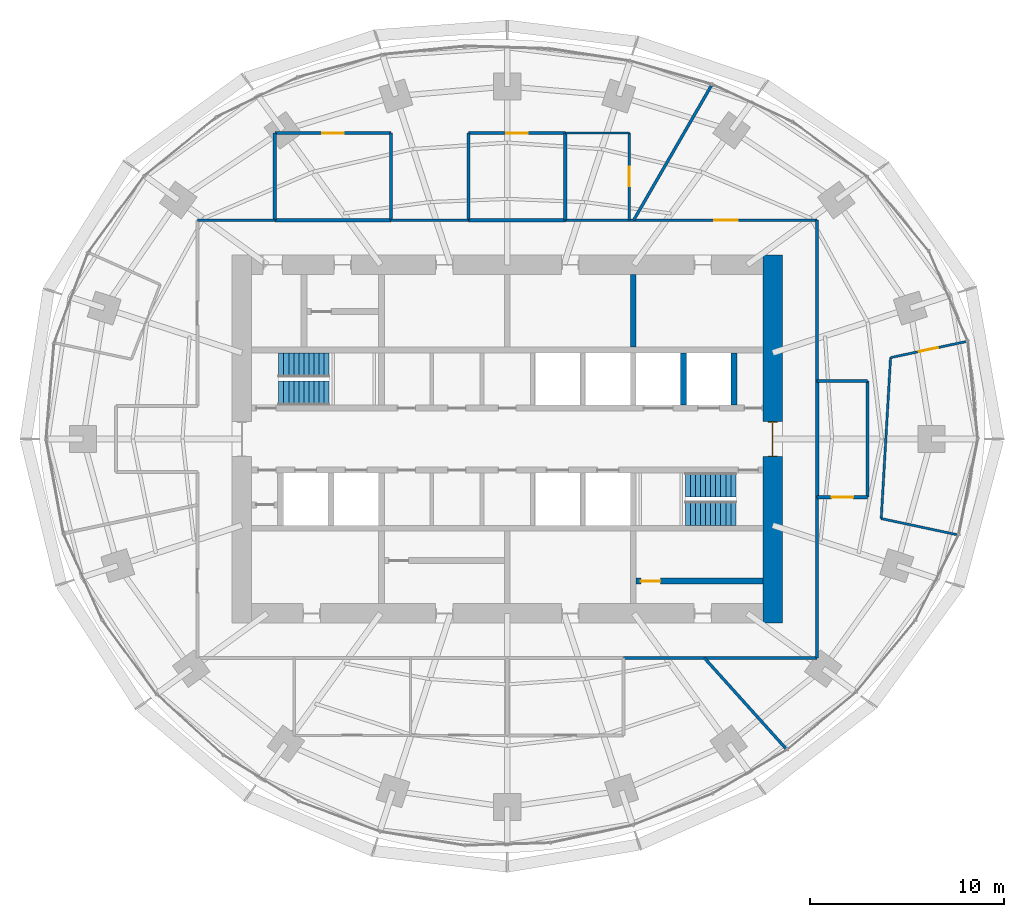
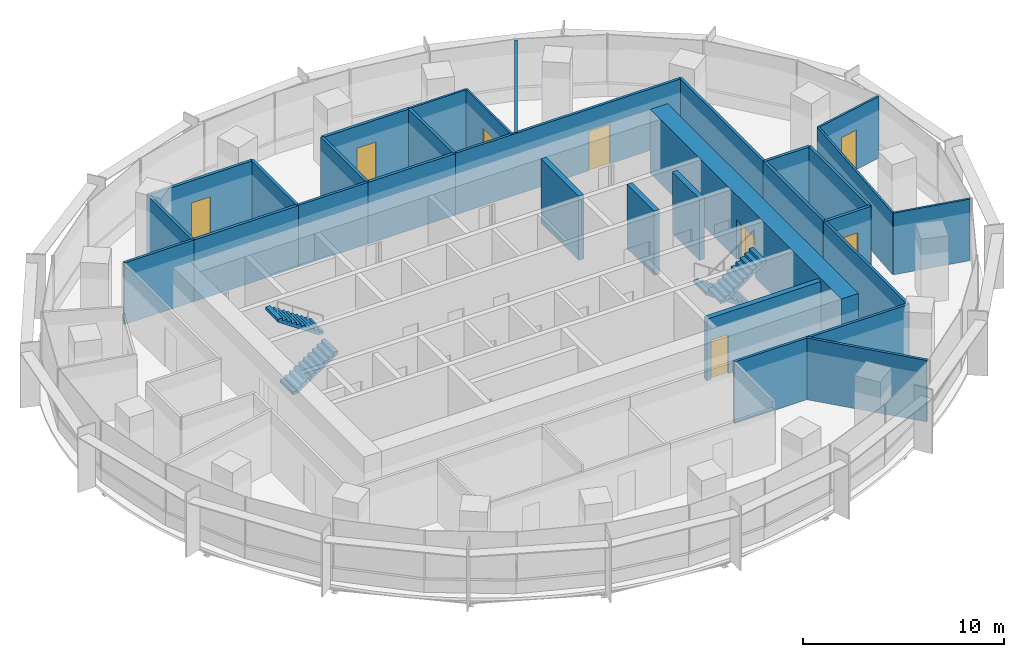
# One storey, part 12 of 14: 30 walls, 8 doors, 4 stair flights, 8 openings, 2 elements without a shape of their own.
"""IFC4 building model written with IfcOpenShell, lengths in metres."""

from ifc_helpers import new_model, si_unit, direction, frame, frame_2d, origin, place, context, subcontext, project, spatial, polyline, rectangle, outline, extrude, material, layer, layer_set, type_object, element, fill, aggregate, save


model = new_model("IFC4")

# Units and contexts
model_context = context("Model", 3, precision=1e-05, world=origin(), true_north=direction((0.0, 1.0)))
body_context = subcontext(model_context, "Body", "Model", "MODEL_VIEW")
ifc_project = project(units=[si_unit("LENGTHUNIT", "METRE"), si_unit("AREAUNIT", "SQUARE_METRE"), si_unit("VOLUMEUNIT", "CUBIC_METRE"), si_unit("PLANEANGLEUNIT", "RADIAN"), si_unit("MASSUNIT", "GRAM", prefix="KILO")], contexts=[model_context])

# Site, building, storey
site_placement = place(None, origin())
site = spatial("IfcSite", under=ifc_project, at=site_placement, CompositionType="ELEMENT")
building_placement = place(site_placement, origin())
building = spatial("IfcBuilding", under=site, at=building_placement, Name="Marramba Exchange Tower", CompositionType="ELEMENT")
storey_placement = place(building_placement, frame((0.0, 0.0, 203.300048828125)))
storey = spatial("IfcBuildingStorey", under=building, at=storey_placement, Name="L49", CompositionType="ELEMENT", Elevation=203.300048828125)

# Wall, opening, door
ifc_material_1 = material(Name="Plasterboard on staggered double steel studs, acoustic insulation", Category="steel")
ifc_layer_1 = layer(ifc_material_1, 0.169921875)
ifc_layer_set_1 = layer_set([ifc_layer_1], Name="Acoustic partition 170")
wall_type_1 = type_object("IfcWallType", Name="Acoustic partition 170", PredefinedType="PARTITIONING", material=ifc_layer_set_1)
wall_1_placement = place(storey_placement, frame((16.0, -3.0, 0.0), z_axis=(0.0, 0.0, 1.0), x_axis=(1.0, 0.0, 0.0)))
wall_1 = element("IfcWall", 1, at=wall_1_placement, inside=storey, type_object=wall_type_1, Name="Acoustic partition L49 16", PredefinedType="PARTITIONING", context=body_context, shape_type="SweptSolid", body=[
    extrude(rectangle(XDim=2.60009765625, YDim=0.169921875, at=frame_2d((1.300048828125, 0.0))), origin(), (0.0, 0.0, 1.0), 3.739990234375),
])
opening_1_placement = place(wall_1_placement, frame((0.75, 0.0, 0.0)))
opening_1 = element("IfcOpeningElement", 2, at=opening_1_placement, cuts=wall_1, Name="Opening D15", PredefinedType="OPENING", context=body_context, shape_type="SweptSolid", body=[
    extrude(rectangle(XDim=1.10009765625, YDim=2.39990234375, at=frame_2d((0.550048828125, 1.199951171875))), frame((0.0, 0.094970703125, 0.0), z_axis=(0.0, -1.0, 0.0), x_axis=(1.0, 0.0, 0.0)), (0.0, 0.0, 1.0), 0.18994140625),
])
ifc_material_2 = material(Name="Timber door", Category="wood")
door_type_1 = type_object("IfcDoorType", Name="Glazed meeting room door 1100x2400", OperationType="SINGLE_SWING_LEFT", PredefinedType="DOOR", material=ifc_material_2)
door_1_placement = place(opening_1_placement, origin())
door_1 = element("IfcDoor", 3, at=door_1_placement, inside=storey, type_object=door_type_1, Name="D15 Meeting Room 1 L49", OperationType="SINGLE_SWING_RIGHT", OverallHeight=2.39990234375, OverallWidth=1.10009765625, PredefinedType="DOOR", context=body_context, shape_type="SweptSolid", body=[
    extrude(rectangle(XDim=1.10009765625, YDim=2.39990234375, at=frame_2d((0.550048828125, 1.199951171875))), frame((0.0, 0.02490234375, 0.0), z_axis=(0.0, -1.0, 0.0), x_axis=(1.0, 0.0, 0.0)), (0.0, 0.0, 1.0), 0.050048828125),
])
fill(opening_1, door_1)

# Walls
for number, where, z_axis, x_axis, name in (
    (4, (16.0, 3.0, 0.0), (0.0, 0.0, 1.0), (0.0, -1.0, 0.0), "Acoustic partition L49 17"),
    (5, (18.60009765625, -3.0, 0.0), (0.0, 0.0, 1.0), (0.0, 1.0, 0.0), "Acoustic partition L49 18"),
):
    element("IfcWall", number, at=place(storey_placement, frame(where, z_axis=z_axis, x_axis=x_axis)), inside=storey, type_object=wall_type_1, Name=name, PredefinedType="PARTITIONING", context=body_context, shape_type="SweptSolid", body=[
        extrude(rectangle(XDim=6.0, YDim=0.169921875, at=frame_2d((3.0, 0.0))), origin(), (0.0, 0.0, 1.0), 3.739990234375),
    ])
wall_2_placement = place(storey_placement, frame((18.60009765625, 3.0, 0.0), z_axis=(0.0, 0.0, 1.0), x_axis=(-1.0, 0.0, 0.0)))
element("IfcWall", 6, at=wall_2_placement, inside=storey, type_object=wall_type_1, Name="Acoustic partition L49 20", PredefinedType="PARTITIONING", context=body_context, shape_type="SweptSolid", body=[
    extrude(rectangle(XDim=2.60009765625, YDim=0.169921875, at=frame_2d((1.300048828125, 0.0))), origin(), (0.0, 0.0, 1.0), 3.739990234375),
])
wall_3_placement = place(storey_placement, frame((3.0, 15.800048828125, 0.0), z_axis=(0.0, 0.0, 1.0), x_axis=(0.0, -1.0, 0.0)))
element("IfcWall", 7, at=wall_3_placement, inside=storey, type_object=wall_type_1, Name="Acoustic partition L49 27", PredefinedType="PARTITIONING", context=body_context, shape_type="SweptSolid", body=[
    extrude(rectangle(XDim=4.5, YDim=0.169921875, at=frame_2d((2.25, 0.0))), origin(), (0.0, 0.0, 1.0), 3.739990234375),
])
wall_4_placement = place(storey_placement, frame((-2.0, 11.300048828125, 0.0), z_axis=(0.0, 0.0, 1.0), x_axis=(1.0, 0.0, 0.0)))
element("IfcWall", 8, at=wall_4_placement, inside=storey, type_object=wall_type_1, Name="Acoustic partition L49 28", PredefinedType="PARTITIONING", context=body_context, shape_type="SweptSolid", body=[
    extrude(rectangle(XDim=5.0, YDim=0.169921875, at=frame_2d((2.5, 0.0))), origin(), (0.0, 0.0, 1.0), 3.739990234375),
])

# Wall, opening, door
wall_5_placement = place(storey_placement, frame((3.0, 15.800048828125, 0.0), z_axis=(0.0, 0.0, 1.0), x_axis=(-1.0, 0.0, 0.0)))
wall_5 = element("IfcWall", 9, at=wall_5_placement, inside=storey, type_object=wall_type_1, Name="Acoustic partition L49 29", PredefinedType="PARTITIONING", context=body_context, shape_type="SweptSolid", body=[
    extrude(rectangle(XDim=5.0, YDim=0.169921875, at=frame_2d((2.5, 0.0))), origin(), (0.0, 0.0, 1.0), 3.739990234375),
])
opening_2_placement = place(wall_5_placement, frame((1.949951171875, 0.0, 0.0)))
opening_2 = element("IfcOpeningElement", 10, at=opening_2_placement, cuts=wall_5, Name="Opening D15", PredefinedType="OPENING", context=body_context, shape_type="SweptSolid", body=[
    extrude(rectangle(XDim=1.10009765625, YDim=2.39990234375, at=frame_2d((0.550048828125, 1.199951171875))), frame((0.0, 0.094970703125, 0.0), z_axis=(0.0, -1.0, 0.0), x_axis=(1.0, 0.0, 0.0)), (0.0, 0.0, 1.0), 0.18994140625),
])
door_2_placement = place(opening_2_placement, origin())
door_2 = element("IfcDoor", 11, at=door_2_placement, inside=storey, type_object=door_type_1, Name="D15 Meeting Room 2 L49", OperationType="SINGLE_SWING_RIGHT", OverallHeight=2.39990234375, OverallWidth=1.10009765625, PredefinedType="DOOR", context=body_context, shape_type="SweptSolid", body=[
    extrude(rectangle(XDim=1.10009765625, YDim=2.39990234375, at=frame_2d((0.550048828125, 1.199951171875))), frame((0.0, 0.02490234375, 0.0), z_axis=(0.0, -1.0, 0.0), x_axis=(1.0, 0.0, 0.0)), (0.0, 0.0, 1.0), 0.050048828125),
])
fill(opening_2, door_2)

# Walls
for number, where, z_axis, x_axis, name in (
    (12, (-2.0, 15.800048828125, 0.0), (0.0, 0.0, 1.0), (0.0, -1.0, 0.0), "Acoustic partition L49 30"),
    (13, (-6.0, 11.300048828125, 0.0), (0.0, 0.0, 1.0), (0.0, 1.0, 0.0), "Acoustic partition L49 32"),
):
    element("IfcWall", number, at=place(storey_placement, frame(where, z_axis=z_axis, x_axis=x_axis)), inside=storey, type_object=wall_type_1, Name=name, PredefinedType="PARTITIONING", context=body_context, shape_type="SweptSolid", body=[
        extrude(rectangle(XDim=4.5, YDim=0.169921875, at=frame_2d((2.25, 0.0))), origin(), (0.0, 0.0, 1.0), 3.739990234375),
    ])

# Wall, opening, door
wall_6_placement = place(storey_placement, frame((-6.0, 15.800048828125, 0.0), z_axis=(0.0, 0.0, 1.0), x_axis=(-1.0, 0.0, 0.0)))
wall_6 = element("IfcWall", 14, at=wall_6_placement, inside=storey, type_object=wall_type_1, Name="Acoustic partition L49 33", PredefinedType="PARTITIONING", context=body_context, shape_type="SweptSolid", body=[
    extrude(rectangle(XDim=6.0, YDim=0.169921875, at=frame_2d((3.0, 0.0))), origin(), (0.0, 0.0, 1.0), 3.739990234375),
])
opening_3_placement = place(wall_6_placement, frame((2.449951171875, 0.0, 0.0)))
opening_3 = element("IfcOpeningElement", 15, at=opening_3_placement, cuts=wall_6, Name="Opening D15", PredefinedType="OPENING", context=body_context, shape_type="SweptSolid", body=[
    extrude(rectangle(XDim=1.10009765625, YDim=2.39990234375, at=frame_2d((0.550048828125, 1.199951171875))), frame((0.0, 0.094970703125, 0.0), z_axis=(0.0, -1.0, 0.0), x_axis=(1.0, 0.0, 0.0)), (0.0, 0.0, 1.0), 0.18994140625),
])
door_3_placement = place(opening_3_placement, origin())
door_3 = element("IfcDoor", 16, at=door_3_placement, inside=storey, type_object=door_type_1, Name="D15 Meeting Room 3 L49", OperationType="SINGLE_SWING_RIGHT", OverallHeight=2.39990234375, OverallWidth=1.10009765625, PredefinedType="DOOR", context=body_context, shape_type="SweptSolid", body=[
    extrude(rectangle(XDim=1.10009765625, YDim=2.39990234375, at=frame_2d((0.550048828125, 1.199951171875))), frame((0.0, 0.02490234375, 0.0), z_axis=(0.0, -1.0, 0.0), x_axis=(1.0, 0.0, 0.0)), (0.0, 0.0, 1.0), 0.050048828125),
])
fill(opening_3, door_3)

# Walls
wall_7_placement = place(storey_placement, frame((-12.0, 11.300048828125, 0.0), z_axis=(0.0, 0.0, 1.0), x_axis=(1.0, 0.0, 0.0)))
element("IfcWall", 17, at=wall_7_placement, inside=storey, type_object=wall_type_1, Name="Acoustic partition L49 34", PredefinedType="PARTITIONING", context=body_context, shape_type="SweptSolid", body=[
    extrude(rectangle(XDim=6.0, YDim=0.169921875, at=frame_2d((3.0, 0.0))), origin(), (0.0, 0.0, 1.0), 3.739990234375),
])
wall_8_placement = place(storey_placement, frame((-12.0, 15.800048828125, 0.0), z_axis=(0.0, 0.0, 1.0), x_axis=(0.0, -1.0, 0.0)))
element("IfcWall", 18, at=wall_8_placement, inside=storey, type_object=wall_type_1, Name="Acoustic partition L49 35", PredefinedType="PARTITIONING", context=body_context, shape_type="SweptSolid", body=[
    extrude(rectangle(XDim=4.5, YDim=0.169921875, at=frame_2d((2.25, 0.0))), origin(), (0.0, 0.0, 1.0), 3.739990234375),
])

# Wall, opening, door
ifc_material_3 = material(Name="Concrete N50", Category="concrete")
ifc_layer_2 = layer(ifc_material_3, 1.0)
ifc_layer_set_2 = layer_set([ifc_layer_2], Name="Core wall 1000")
wall_type_2 = type_object("IfcWallType", Name="Core wall 1000", PredefinedType="SHEAR", material=ifc_layer_set_2)
wall_9_placement = place(storey_placement, frame((13.699951171875, -9.5, 0.0), z_axis=(0.0, 0.0, 1.0), x_axis=(0.0, 1.0, 0.0)))
wall_9 = element("IfcWall", 19, at=wall_9_placement, inside=storey, type_object=wall_type_2, Name="Core wall E L49", PredefinedType="SHEAR", context=body_context, shape_type="SweptSolid", body=[
    extrude(rectangle(XDim=19.0, YDim=1.0, at=frame_2d((9.5, 0.0))), origin(), (0.0, 0.0, 1.0), 3.89990234375),
])
opening_4_placement = place(wall_9_placement, frame((8.60009765625, 0.0, 0.0)))
opening_4 = element("IfcOpeningElement", 20, at=opening_4_placement, cuts=wall_9, Name="Opening D1", PredefinedType="OPENING", context=body_context, shape_type="SweptSolid", body=[
    extrude(rectangle(XDim=1.800048828125, YDim=2.39990234375, at=frame_2d((0.89990234375, 1.199951171875))), frame((0.0, 0.510009765625, 0.0), z_axis=(0.0, -1.0, 0.0), x_axis=(1.0, 0.0, 0.0)), (0.0, 0.0, 1.0), 1.02001953125),
])
ifc_material_4 = material(Name="Steel-framed door", Category="steel")
door_type_2 = type_object("IfcDoorType", Name="Lobby exit door 1800x2400", OperationType="DOUBLE_DOOR_SINGLE_SWING", PredefinedType="DOOR", material=ifc_material_4)
door_4_placement = place(opening_4_placement, origin())
door_4 = element("IfcDoor", 21, at=door_4_placement, inside=storey, type_object=door_type_2, Name="D1 lobby exit east L49", OperationType="DOUBLE_DOOR_SINGLE_SWING", OverallHeight=2.39990234375, OverallWidth=1.800048828125, PredefinedType="DOOR", context=body_context, shape_type="SweptSolid", body=[
    extrude(rectangle(XDim=1.719970703125, YDim=2.35986328125, at=frame_2d((0.89990234375, 1.179931640625))), frame((0.0, 0.02490234375, 0.0), z_axis=(0.0, -1.0, 0.0), x_axis=(1.0, 0.0, 0.0)), (0.0, 0.0, 1.0), 0.050048828125),
    extrude(rectangle(XDim=0.04, YDim=2.39990234375, at=frame_2d((0.02001953125, 1.199951171875))), frame((0.0, 0.25, 0.0), z_axis=(0.0, -1.0, 0.0), x_axis=(1.0, 0.0, 0.0)), (0.0, 0.0, 1.0), 0.5),
    extrude(rectangle(XDim=0.04, YDim=2.39990234375, at=frame_2d((1.780029296875, 1.199951171875))), frame((0.0, 0.25, 0.0), z_axis=(0.0, -1.0, 0.0), x_axis=(1.0, 0.0, 0.0)), (0.0, 0.0, 1.0), 0.5),
    extrude(rectangle(XDim=1.719970703125, YDim=0.04, at=frame_2d((0.89990234375, 2.3798828125))), frame((0.0, 0.25, 0.0), z_axis=(0.0, -1.0, 0.0), x_axis=(1.0, 0.0, 0.0)), (0.0, 0.0, 1.0), 0.5),
])
fill(opening_4, door_4)

# Walls
ifc_layer_3 = layer(ifc_material_3, 0.300048828125)
ifc_layer_set_3 = layer_set([ifc_layer_3], Name="Core wall 300")
wall_type_3 = type_object("IfcWallType", Name="Core wall 300", PredefinedType="SHEAR", material=ifc_layer_set_3)
wall_10_placement = place(storey_placement, frame((6.5, 4.75, 0.0), z_axis=(0.0, 0.0, 1.0), x_axis=(0.0, 1.0, 0.0)))
element("IfcWall", 22, at=wall_10_placement, inside=storey, type_object=wall_type_3, Name="Core wall X1Nb L49", PredefinedType="SHEAR", context=body_context, shape_type="SweptSolid", body=[
    extrude(rectangle(XDim=3.75, YDim=0.300048828125, at=frame_2d((1.875, 0.0))), origin(), (0.0, 0.0, 1.0), 3.89990234375),
])
wall_11_placement = place(storey_placement, frame((9.10009765625, 1.75, 0.0), z_axis=(0.0, 0.0, 1.0), x_axis=(0.0, 1.0, 0.0)))
element("IfcWall", 23, at=wall_11_placement, inside=storey, type_object=wall_type_3, Name="Core wall ED L49", PredefinedType="SHEAR", context=body_context, shape_type="SweptSolid", body=[
    extrude(rectangle(XDim=2.699951171875, YDim=0.300048828125, at=frame_2d((1.35009765625, 0.0))), origin(), (0.0, 0.0, 1.0), 3.89990234375),
])
ifc_material_5 = material(Name="Core-filled concrete blockwork", Category="masonry")
ifc_layer_4 = layer(ifc_material_5, 0.300048828125)
ifc_layer_set_4 = layer_set([ifc_layer_4], Name="Lift shaft wall 300")
wall_type_4 = type_object("IfcWallType", Name="Lift shaft wall 300", PredefinedType="SOLIDWALL", material=ifc_layer_set_4)
wall_12_placement = place(storey_placement, frame((11.699951171875, 1.75, 0.0), z_axis=(0.0, 0.0, 1.0), x_axis=(0.0, 1.0, 0.0)))
element("IfcWall", 24, at=wall_12_placement, inside=storey, type_object=wall_type_4, Name="Lift shaft wall E1 L49", PredefinedType="SOLIDWALL", context=body_context, shape_type="SweptSolid", body=[
    extrude(rectangle(XDim=2.699951171875, YDim=0.300048828125, at=frame_2d((1.35009765625, 0.0))), origin(), (0.0, 0.0, 1.0), 3.739990234375),
])
ifc_material_6 = material(Name="Plasterboard on steel studs", Category="steel")
ifc_layer_5 = layer(ifc_material_6, 0.1201171875)
ifc_layer_set_5 = layer_set([ifc_layer_5], Name="Partition 120")
wall_type_5 = type_object("IfcWallType", Name="Partition 120", PredefinedType="PARTITIONING", material=ifc_layer_set_5)
wall_13_placement = place(storey_placement, frame((19.3056640625, -4.103515625, 0.0), z_axis=(0.0, 0.0, 1.0), x_axis=(0.978137903693, -0.207957306576, 0.0)))
element("IfcWall", 25, at=wall_13_placement, inside=storey, type_object=wall_type_5, Name="Partition L49 15", PredefinedType="PARTITIONING", context=body_context, shape_type="SweptSolid", body=[
    extrude(rectangle(XDim=3.999755859375, YDim=0.1201171875, at=frame_2d((2.0, 0.0))), origin(), (0.0, 0.0, 1.0), 3.739990234375),
])
wall_14_placement = place(storey_placement, frame((19.787841796875, 4.2060546875, 0.0), z_axis=(0.0, 0.0, 1.0), x_axis=(-0.0579293499, -0.998320685161, 0.0)))
element("IfcWall", 26, at=wall_14_placement, inside=storey, type_object=wall_type_5, Name="Partition L49 19", PredefinedType="PARTITIONING", context=body_context, shape_type="SweptSolid", body=[
    extrude(rectangle(XDim=8.323486328125, YDim=0.1201171875, at=frame_2d((4.16162109375, 0.0))), origin(), (0.0, 0.0, 1.0), 3.739990234375),
])

# Wall, opening, door
wall_15_placement = place(storey_placement, frame((23.700439453125, 5.03759765625, 0.0), z_axis=(0.0, 0.0, 1.0), x_axis=(-0.978152955943, -0.207886494942, 0.0)))
wall_15 = element("IfcWall", 27, at=wall_15_placement, inside=storey, type_object=wall_type_5, Name="Partition L49 21", PredefinedType="PARTITIONING", context=body_context, shape_type="SweptSolid", body=[
    extrude(rectangle(XDim=4.0, YDim=0.1201171875, at=frame_2d((2.0, 0.0))), origin(), (0.0, 0.0, 1.0), 3.739990234375),
])
opening_5_placement = place(wall_15_placement, frame((1.5, 0.0, 0.0)))
opening_5 = element("IfcOpeningElement", 28, at=opening_5_placement, cuts=wall_15, Name="Opening D9", PredefinedType="OPENING", context=body_context, shape_type="SweptSolid", body=[
    extrude(rectangle(XDim=1.0, YDim=2.39990234375, at=frame_2d((0.5, 1.199951171875))), frame((0.0, 0.070068359375, 0.0), z_axis=(0.0, -1.0, 0.0), x_axis=(1.0, 0.0, 0.0)), (0.0, 0.0, 1.0), 0.14013671875),
])
door_type_3 = type_object("IfcDoorType", Name="Room door 1000x2400", OperationType="SINGLE_SWING_LEFT", PredefinedType="DOOR", material=ifc_material_2)
door_5_placement = place(opening_5_placement, origin())
door_5 = element("IfcDoor", 29, at=door_5_placement, inside=storey, type_object=door_type_3, Name="D9 Office L49", OperationType="SINGLE_SWING_LEFT", OverallHeight=2.39990234375, OverallWidth=1.0, PredefinedType="DOOR", context=body_context, shape_type="SweptSolid", body=[
    extrude(rectangle(XDim=1.0, YDim=2.39990234375, at=frame_2d((0.5, 1.199951171875))), frame((0.0, 0.02490234375, 0.0), z_axis=(0.0, -1.0, 0.0), x_axis=(1.0, 0.0, 0.0)), (0.0, 0.0, 1.0), 0.050048828125),
])
fill(opening_5, door_5)

wall_16_placement = place(storey_placement, frame((6.300048828125, 11.300048828125, 0.0), z_axis=(0.0, 0.0, 1.0), x_axis=(0.0, 1.0, 0.0)))
wall_16 = element("IfcWall", 30, at=wall_16_placement, inside=storey, type_object=wall_type_5, Name="Partition L49 25", PredefinedType="PARTITIONING", context=body_context, shape_type="SweptSolid", body=[
    extrude(rectangle(XDim=4.5, YDim=0.1201171875, at=frame_2d((2.25, 0.0))), origin(), (0.0, 0.0, 1.0), 3.739990234375),
])
opening_6_placement = place(wall_16_placement, frame((1.75, 0.0, 0.0)))
opening_6 = element("IfcOpeningElement", 31, at=opening_6_placement, cuts=wall_16, Name="Opening D9", PredefinedType="OPENING", context=body_context, shape_type="SweptSolid", body=[
    extrude(rectangle(XDim=1.0, YDim=2.39990234375, at=frame_2d((0.5, 1.199951171875))), frame((0.0, 0.070068359375, 0.0), z_axis=(0.0, -1.0, 0.0), x_axis=(1.0, 0.0, 0.0)), (0.0, 0.0, 1.0), 0.14013671875),
])
door_6_placement = place(opening_6_placement, origin())
door_6 = element("IfcDoor", 32, at=door_6_placement, inside=storey, type_object=door_type_3, Name="D9 Pantry 1 L49", OperationType="SINGLE_SWING_RIGHT", OverallHeight=2.39990234375, OverallWidth=1.0, PredefinedType="DOOR", context=body_context, shape_type="SweptSolid", body=[
    extrude(rectangle(XDim=1.0, YDim=2.39990234375, at=frame_2d((0.5, 1.199951171875))), frame((0.0, 0.02490234375, 0.0), z_axis=(0.0, -1.0, 0.0), x_axis=(1.0, 0.0, 0.0)), (0.0, 0.0, 1.0), 0.050048828125),
])
fill(opening_6, door_6)

# Wall
wall_17_placement = place(storey_placement, frame((6.300048828125, 15.800048828125, 0.0), z_axis=(0.0, 0.0, 1.0), x_axis=(-1.0, 0.0, 0.0)))
element("IfcWall", 33, at=wall_17_placement, inside=storey, type_object=wall_type_5, Name="Partition L49 26", PredefinedType="PARTITIONING", context=body_context, shape_type="SweptSolid", body=[
    extrude(rectangle(XDim=3.300048828125, YDim=0.1201171875, at=frame_2d((1.64990234375, 0.0))), origin(), (0.0, 0.0, 1.0), 3.739990234375),
])

# Wall, opening, door
ifc_material_7 = material(Name="Plasterboard on steel studs, insulated, unrated", Category="steel")
ifc_layer_6 = layer(ifc_material_7, 0.300048828125)
ifc_layer_set_6 = layer_set([ifc_layer_6], Name="Store partition 300")
wall_type_6 = type_object("IfcWallType", Name="Store partition 300", PredefinedType="PARTITIONING", material=ifc_layer_set_6)
wall_18_placement = place(storey_placement, frame((6.64990234375, -7.327880859375, 0.0), z_axis=(0.0, 0.0, 1.0), x_axis=(1.0, 0.0, 0.0)))
wall_18 = element("IfcWall", 34, at=wall_18_placement, inside=storey, type_object=wall_type_6, Name="Store partition L49 cstore", PredefinedType="PARTITIONING", context=body_context, shape_type="SweptSolid", body=[
    extrude(rectangle(XDim=6.550048828125, YDim=0.300048828125, at=frame_2d((3.27490234375, 0.0))), origin(), (0.0, 0.0, 1.0), 3.739990234375),
])
opening_7_placement = place(wall_18_placement, frame((0.25, 0.0, 0.0)))
opening_7 = element("IfcOpeningElement", 35, at=opening_7_placement, cuts=wall_18, Name="Opening D9", PredefinedType="OPENING", context=body_context, shape_type="SweptSolid", body=[
    extrude(rectangle(XDim=1.0, YDim=2.39990234375, at=frame_2d((0.5, 1.199951171875))), frame((0.0, 0.159912109375, 0.0), z_axis=(0.0, -1.0, 0.0), x_axis=(1.0, 0.0, 0.0)), (0.0, 0.0, 1.0), 0.320068359375),
])
door_7_placement = place(opening_7_placement, frame((1.0, 0.0, 0.0), z_axis=(0.0, 0.0, 1.0), x_axis=(-1.0, 0.0, 0.0)))
door_7 = element("IfcDoor", 36, at=door_7_placement, inside=storey, type_object=door_type_3, Name="D9 general store L49", OperationType="SINGLE_SWING_RIGHT", OverallHeight=2.39990234375, OverallWidth=1.0, PredefinedType="DOOR", context=body_context, shape_type="SweptSolid", body=[
    extrude(rectangle(XDim=1.0, YDim=2.39990234375, at=frame_2d((0.5, 1.199951171875))), frame((0.0, 0.025146484375, 0.0), z_axis=(0.0, -1.0, 0.0), x_axis=(1.0, 0.0, 0.0)), (0.0, 0.0, 1.0), 0.050048828125),
])
fill(opening_7, door_7)

# Walls
ifc_material_8 = material(Name="Fire-rated plasterboard on steel studs, acoustic insulation", Category="steel")
ifc_layer_7 = layer(ifc_material_8, 0.14990234375)
ifc_layer_set_7 = layer_set([ifc_layer_7], Name="Tenancy wall 150")
wall_type_7 = type_object("IfcWallType", Name="Tenancy wall 150", PredefinedType="PARTITIONING", material=ifc_layer_set_7)
wall_19_placement = place(storey_placement, frame((14.38525390625, -15.976318359375, 0.0), z_axis=(0.0, 0.0, 1.0), x_axis=(-0.669144767844, 0.743132074174, 0.0)))
element("IfcWall", 37, at=wall_19_placement, inside=storey, type_object=wall_type_7, Name="Tenancy wall L49 12", PredefinedType="PARTITIONING", context=body_context, shape_type="SweptSolid", body=[
    extrude(rectangle(XDim=6.292724609375, YDim=0.14990234375, at=frame_2d((3.146484375, 0.0))), origin(), (0.0, 0.0, 1.0), 3.739990234375),
])
wall_20_placement = place(storey_placement, frame((6.0, -11.300048828125, 0.0), z_axis=(0.0, 0.0, 1.0), x_axis=(1.0, 0.0, 0.0)))
element("IfcWall", 38, at=wall_20_placement, inside=storey, type_object=wall_type_7, Name="Tenancy wall L49 13", PredefinedType="PARTITIONING", context=body_context, shape_type="SweptSolid", body=[
    extrude(rectangle(XDim=10.0, YDim=0.14990234375, at=frame_2d((5.0, 0.0))), origin(), (0.0, 0.0, 1.0), 3.739990234375),
])
for number, where, z_axis, x_axis, name in (
    (39, (16.0, -11.300048828125, 0.0), (0.0, 0.0, 1.0), (0.0, 1.0, 0.0), "Tenancy wall L49 14"),
    (40, (16.0, 3.0, 0.0), (0.0, 0.0, 1.0), (0.0, 1.0, 0.0), "Tenancy wall L49 22"),
):
    element("IfcWall", number, at=place(storey_placement, frame(where, z_axis=z_axis, x_axis=x_axis)), inside=storey, type_object=wall_type_7, Name=name, PredefinedType="PARTITIONING", context=body_context, shape_type="SweptSolid", body=[
        extrude(rectangle(XDim=8.300048828125, YDim=0.14990234375, at=frame_2d((4.14990234375, 0.0))), origin(), (0.0, 0.0, 1.0), 3.739990234375),
    ])

# Wall, opening, door
wall_21_placement = place(storey_placement, frame((16.0, 11.300048828125, 0.0), z_axis=(0.0, 0.0, 1.0), x_axis=(-1.0, 0.0, 0.0)))
wall_21 = element("IfcWall", 41, at=wall_21_placement, inside=storey, type_object=wall_type_7, Name="Tenancy wall L49 23", PredefinedType="PARTITIONING", context=body_context, shape_type="SweptSolid", body=[
    extrude(rectangle(XDim=13.0, YDim=0.14990234375, at=frame_2d((6.5, 0.0))), origin(), (0.0, 0.0, 1.0), 3.739990234375),
])
opening_8_placement = place(wall_21_placement, frame((4.113037109375, 0.0, 0.0)))
opening_8 = element("IfcOpeningElement", 42, at=opening_8_placement, cuts=wall_21, Name="Opening D13", PredefinedType="OPENING", context=body_context, shape_type="SweptSolid", body=[
    extrude(rectangle(XDim=1.199951171875, YDim=2.39990234375, at=frame_2d((0.60009765625, 1.199951171875))), frame((0.0, 0.0849609375, 0.0), z_axis=(0.0, -1.0, 0.0), x_axis=(1.0, 0.0, 0.0)), (0.0, 0.0, 1.0), 0.169921875),
])
door_type_4 = type_object("IfcDoorType", Name="Tenancy entry door 1200x2400", OperationType="SINGLE_SWING_LEFT", PredefinedType="DOOR", material=ifc_material_4)
door_8_placement = place(opening_8_placement, origin())
door_8 = element("IfcDoor", 43, at=door_8_placement, inside=storey, type_object=door_type_4, Name="D13 Office 1 L49", OperationType="SINGLE_SWING_LEFT", OverallHeight=2.39990234375, OverallWidth=1.199951171875, PredefinedType="DOOR", context=body_context, shape_type="SweptSolid", body=[
    extrude(rectangle(XDim=1.199951171875, YDim=2.39990234375, at=frame_2d((0.60009765625, 1.199951171875))), frame((0.0, 0.02490234375, 0.0), z_axis=(0.0, -1.0, 0.0), x_axis=(1.0, 0.0, 0.0)), (0.0, 0.0, 1.0), 0.050048828125),
])
fill(opening_8, door_8)

# Walls
wall_22_placement = place(storey_placement, frame((6.524169921875, 11.300048828125, 0.0), z_axis=(0.0, 0.0, 1.0), x_axis=(0.499985955615, 0.866033512162, 0.0)))
element("IfcWall", 44, at=wall_22_placement, inside=storey, type_object=wall_type_7, Name="Tenancy wall L49 24", PredefinedType="PARTITIONING", context=body_context, shape_type="SweptSolid", body=[
    extrude(rectangle(XDim=8.020263671875, YDim=0.14990234375, at=frame_2d((4.01025390625, 0.0))), origin(), (0.0, 0.0, 1.0), 3.739990234375),
])
for number, where, z_axis, x_axis, name in (
    (45, (-2.0, 11.300048828125, 0.0), (0.0, 0.0, 1.0), (-1.0, 0.0, 0.0), "Tenancy wall L49 31"),
    (46, (-12.0, 11.300048828125, 0.0), (0.0, 0.0, 1.0), (-1.0, 0.0, 0.0), "Tenancy wall L49 36"),
):
    element("IfcWall", number, at=place(storey_placement, frame(where, z_axis=z_axis, x_axis=x_axis)), inside=storey, type_object=wall_type_7, Name=name, PredefinedType="PARTITIONING", context=body_context, shape_type="SweptSolid", body=[
        extrude(rectangle(XDim=4.0, YDim=0.14990234375, at=frame_2d((2.0, 0.0))), origin(), (0.0, 0.0, 1.0), 3.739990234375),
    ])

# Stair, stair flights
ifc_material_9 = material(Name="Concrete N40 (40 MPa)", Category="concrete")
stair_type_1 = type_object("IfcStairType", Name="Exit stair ST1 3900 x 1250", PredefinedType="HALF_TURN_STAIR", material=ifc_material_9)
stair_1_placement = place(storey_placement, origin())
stair_1 = element("IfcStair", 47, at=stair_1_placement, inside=storey, type_object=stair_type_1, Name="Exit stair ST1 L49", PredefinedType="HALF_TURN_STAIR")
stair_flight_type_1 = type_object("IfcStairFlightType", Name="ST1 stair flight 1773 riser 1250 wide", PredefinedType="STRAIGHT", material=ifc_material_9)
stair_flight_1_placement = place(storey_placement, frame((-11.800048828125, 2.375, 0.0), z_axis=(0.0, 0.0, 1.0), x_axis=(1.0, 0.0, 0.0)))
stair_flight_1 = element("IfcStairFlight", 48, at=stair_flight_1_placement, type_object=stair_flight_type_1, Name="ST1 flight 1", NumberOfRisers=11, NumberOfTreads=10, PredefinedType="STRAIGHT", RiserHeight=0.177272727, TreadLength=0.26, context=body_context, shape_type="SweptSolid", body=[
    extrude(outline(polyline([(0.0, 0.0), (0.0, 0.17724609375), (0.260009765625, 0.17724609375), (0.260009765625, 0.3544921875), (0.52001953125, 0.3544921875), (0.52001953125, 0.53173828125), (0.780029296875, 0.53173828125), (0.780029296875, 0.708984375), (1.0400390625, 0.708984375), (1.0400390625, 0.886474609375), (1.300048828125, 0.886474609375), (1.300048828125, 1.063720703125), (1.56005859375, 1.063720703125), (1.56005859375, 1.240966796875), (1.820068359375, 1.240966796875), (1.820068359375, 1.418212890625), (2.080078125, 1.418212890625), (2.080078125, 1.595458984375), (2.340087890625, 1.595458984375), (2.340087890625, 1.772705078125), (2.60009765625, 1.772705078125), (2.60009765625, 1.949951171875), (2.60009765625, 1.59130859375), (0.26611328125, 0.0), (0.0, 0.0)])), frame((0.0, 0.625, 0.0), z_axis=(0.0, -1.0, 0.0), x_axis=(1.0, 0.0, 0.0)), (0.0, 0.0, 1.0), 1.25),
])
stair_flight_2_placement = place(storey_placement, frame((-9.199951171875, 3.824951171875, 1.949951171875), z_axis=(0.0, 0.0, 1.0), x_axis=(-1.0, 0.0, 0.0)))
stair_flight_2 = element("IfcStairFlight", 49, at=stair_flight_2_placement, type_object=stair_flight_type_1, Name="ST1 flight 2", NumberOfRisers=11, NumberOfTreads=10, PredefinedType="STRAIGHT", RiserHeight=0.177272727, TreadLength=0.26, context=body_context, shape_type="SweptSolid", body=[
    extrude(outline(polyline([(0.0, 0.0), (0.0, 0.17724609375), (0.260009765625, 0.17724609375), (0.260009765625, 0.3544921875), (0.52001953125, 0.3544921875), (0.52001953125, 0.53173828125), (0.780029296875, 0.53173828125), (0.780029296875, 0.708984375), (1.0400390625, 0.708984375), (1.0400390625, 0.886474609375), (1.300048828125, 0.886474609375), (1.300048828125, 1.063720703125), (1.56005859375, 1.063720703125), (1.56005859375, 1.240966796875), (1.820068359375, 1.240966796875), (1.820068359375, 1.418212890625), (2.080078125, 1.418212890625), (2.080078125, 1.595458984375), (2.340087890625, 1.595458984375), (2.340087890625, 1.772705078125), (2.60009765625, 1.772705078125), (2.60009765625, 1.949951171875), (2.60009765625, 1.59130859375), (0.26611328125, 0.0), (0.0, 0.0)])), frame((0.0, 0.625, 0.0), z_axis=(0.0, -1.0, 0.0), x_axis=(1.0, 0.0, 0.0)), (0.0, 0.0, 1.0), 1.25),
])
aggregate(stair_1, [stair_flight_1, stair_flight_2])

stair_type_2 = type_object("IfcStairType", Name="Exit stair ST2 3900 x 1250", PredefinedType="HALF_TURN_STAIR", material=ifc_material_9)
stair_2_placement = place(storey_placement, origin())
stair_2 = element("IfcStair", 50, at=stair_2_placement, inside=storey, type_object=stair_type_2, Name="Exit stair ST2 L49", PredefinedType="HALF_TURN_STAIR")
stair_flight_type_2 = type_object("IfcStairFlightType", Name="ST2 stair flight 1773 riser 1250 wide", PredefinedType="STRAIGHT", material=ifc_material_9)
stair_flight_3_placement = place(storey_placement, frame((11.800048828125, -2.375, 0.0), z_axis=(0.0, 0.0, 1.0), x_axis=(-1.0, 0.0, 0.0)))
stair_flight_3 = element("IfcStairFlight", 51, at=stair_flight_3_placement, type_object=stair_flight_type_2, Name="ST2 flight 1", NumberOfRisers=11, NumberOfTreads=10, PredefinedType="STRAIGHT", RiserHeight=0.177272727, TreadLength=0.26, context=body_context, shape_type="SweptSolid", body=[
    extrude(outline(polyline([(0.0, 0.0), (0.0, 0.17724609375), (0.260009765625, 0.17724609375), (0.260009765625, 0.3544921875), (0.52001953125, 0.3544921875), (0.52001953125, 0.53173828125), (0.780029296875, 0.53173828125), (0.780029296875, 0.708984375), (1.0400390625, 0.708984375), (1.0400390625, 0.886474609375), (1.300048828125, 0.886474609375), (1.300048828125, 1.063720703125), (1.56005859375, 1.063720703125), (1.56005859375, 1.240966796875), (1.820068359375, 1.240966796875), (1.820068359375, 1.418212890625), (2.080078125, 1.418212890625), (2.080078125, 1.595458984375), (2.340087890625, 1.595458984375), (2.340087890625, 1.772705078125), (2.60009765625, 1.772705078125), (2.60009765625, 1.949951171875), (2.60009765625, 1.59130859375), (0.26611328125, 0.0), (0.0, 0.0)])), frame((0.0, 0.625, 0.0), z_axis=(0.0, -1.0, 0.0), x_axis=(1.0, 0.0, 0.0)), (0.0, 0.0, 1.0), 1.25),
])
stair_flight_4_placement = place(storey_placement, frame((9.199951171875, -3.824951171875, 1.949951171875), z_axis=(0.0, 0.0, 1.0), x_axis=(1.0, 0.0, 0.0)))
stair_flight_4 = element("IfcStairFlight", 52, at=stair_flight_4_placement, type_object=stair_flight_type_2, Name="ST2 flight 2", NumberOfRisers=11, NumberOfTreads=10, PredefinedType="STRAIGHT", RiserHeight=0.177272727, TreadLength=0.26, context=body_context, shape_type="SweptSolid", body=[
    extrude(outline(polyline([(0.0, 0.0), (0.0, 0.17724609375), (0.260009765625, 0.17724609375), (0.260009765625, 0.3544921875), (0.52001953125, 0.3544921875), (0.52001953125, 0.53173828125), (0.780029296875, 0.53173828125), (0.780029296875, 0.708984375), (1.0400390625, 0.708984375), (1.0400390625, 0.886474609375), (1.300048828125, 0.886474609375), (1.300048828125, 1.063720703125), (1.56005859375, 1.063720703125), (1.56005859375, 1.240966796875), (1.820068359375, 1.240966796875), (1.820068359375, 1.418212890625), (2.080078125, 1.418212890625), (2.080078125, 1.595458984375), (2.340087890625, 1.595458984375), (2.340087890625, 1.772705078125), (2.60009765625, 1.772705078125), (2.60009765625, 1.949951171875), (2.60009765625, 1.59130859375), (0.26611328125, 0.0), (0.0, 0.0)])), frame((0.0, 0.625, 0.0), z_axis=(0.0, -1.0, 0.0), x_axis=(1.0, 0.0, 0.0)), (0.0, 0.0, 1.0), 1.25),
])
aggregate(stair_2, [stair_flight_3, stair_flight_4])

save(model, "model.ifc")
